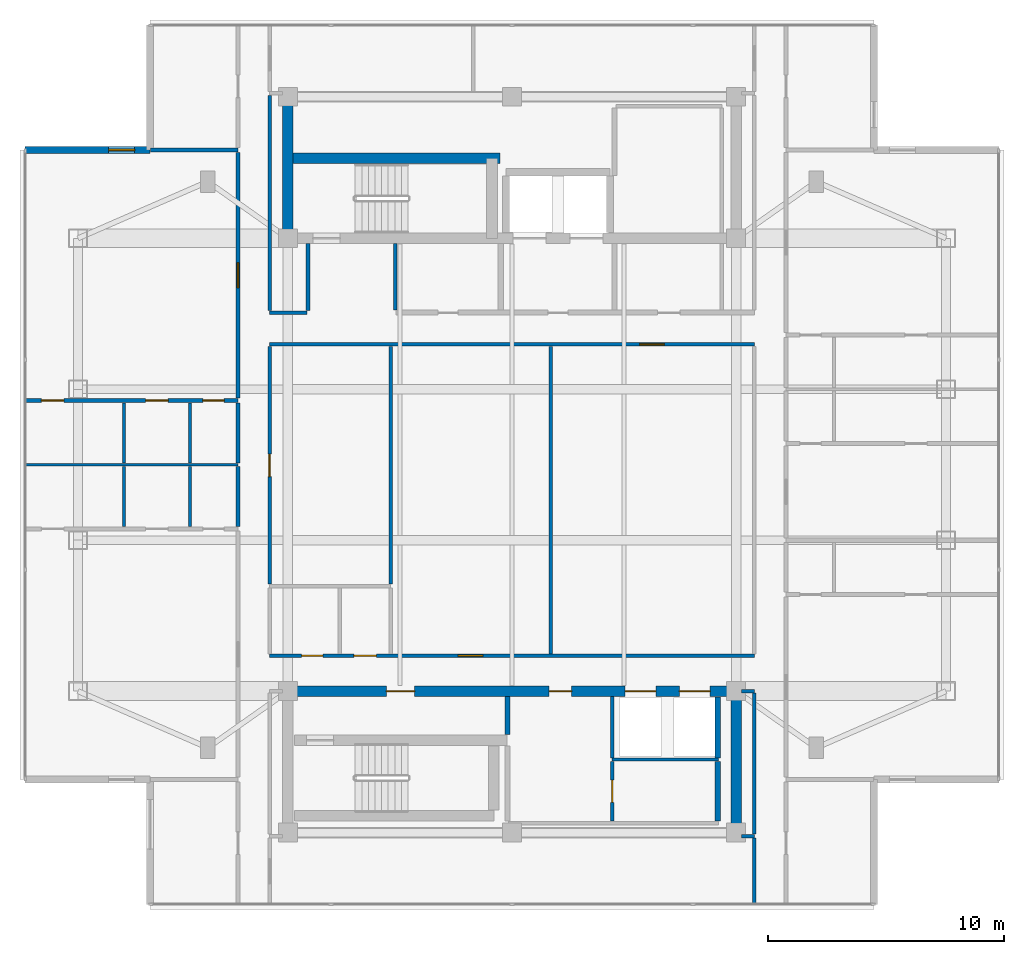
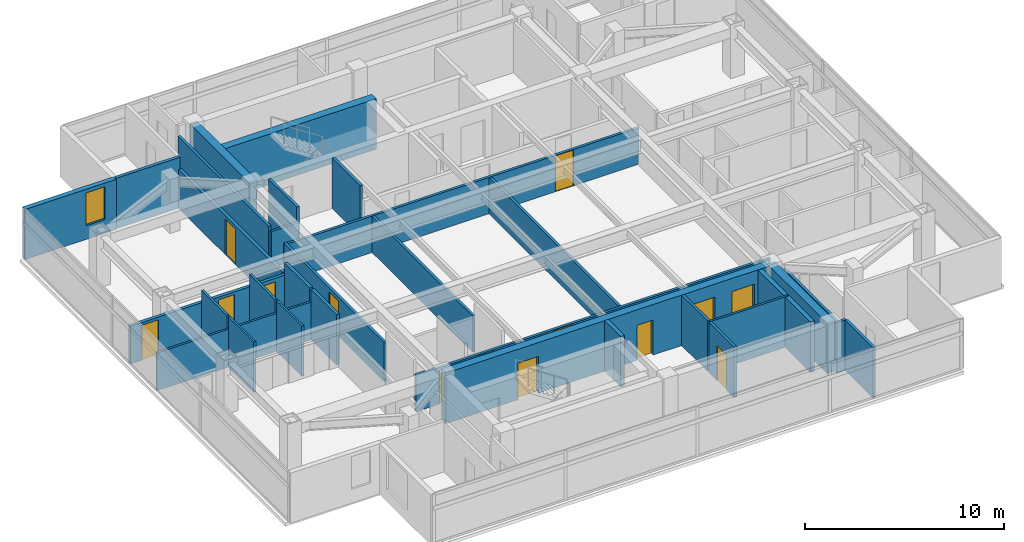
# One storey, part 7 of 12: 34 walls, 14 doors, 1 window, 15 openings.
"""IFC4 building model written with IfcOpenShell, lengths in metres."""

from ifc_helpers import new_model, si_unit, direction, frame, frame_2d, origin, place, context, subcontext, project, spatial, rectangle, extrude, material, layer, layer_set, type_object, element, fill, save


model = new_model("IFC4")

# Units and contexts
model_context = context("Model", 3, precision=1e-05, world=origin(), true_north=direction((0.0, 1.0)))
body_context = subcontext(model_context, "Body", "Model", "MODEL_VIEW")
ifc_project = project(units=[si_unit("LENGTHUNIT", "METRE"), si_unit("AREAUNIT", "SQUARE_METRE"), si_unit("VOLUMEUNIT", "CUBIC_METRE"), si_unit("PLANEANGLEUNIT", "RADIAN"), si_unit("MASSUNIT", "GRAM", prefix="KILO")], contexts=[model_context])

# Site, building, storey
site_placement = place(None, origin())
site = spatial("IfcSite", under=ifc_project, at=site_placement, CompositionType="ELEMENT")
building_placement = place(site_placement, origin())
building = spatial("IfcBuilding", under=site, at=building_placement, Name="Mirazonda Arch Towers", CompositionType="ELEMENT")
storey_placement = place(building_placement, frame((0.0, 0.0, 226.0)))
storey = spatial("IfcBuildingStorey", under=building, at=storey_placement, Name="L64", CompositionType="ELEMENT", Elevation=226.0)

# Walls
ifc_material_1 = material(Name="Concrete C50/60", Category="concrete")
ifc_layer_1 = layer(ifc_material_1, 0.449951171875, Name="WALL-CORE-450")
ifc_layer_set_1 = layer_set([ifc_layer_1], Name="Concrete C50/60")
wall_type_1 = type_object("IfcWallType", Name="WALL-CORE-450", PredefinedType="SHEAR", material=ifc_layer_set_1)
wall_1_placement = place(storey_placement, frame((11.0, 37.60009765625, 0.0), z_axis=(0.0, 0.0, 1.0), x_axis=(0.0, 1.0, 0.0)))
element("IfcWall", 1, at=wall_1_placement, inside=storey, type_object=wall_type_1, Name="L64 T1N-W Core Shear Wall", PredefinedType="SHEAR", context=body_context, shape_type="SweptSolid", body=[
    extrude(rectangle(XDim=6.0, YDim=0.449951171875, at=frame_2d((3.0, 0.0))), origin(), (0.0, 0.0, 1.0), 3.10009765625),
])
wall_2_placement = place(storey_placement, frame((11.0, 40.992919921875, 0.0), z_axis=(0.0, 0.0, 1.0), x_axis=(1.0, 0.0, 0.0)))
element("IfcWall", 2, at=wall_2_placement, inside=storey, type_object=wall_type_1, Name="L64 T1N-STN Core Shear Wall", PredefinedType="SHEAR", context=body_context, shape_type="SweptSolid", body=[
    extrude(rectangle(XDim=9.0, YDim=0.449951171875, at=frame_2d((4.5, 0.0))), origin(), (0.0, 0.0, 1.0), 3.10009765625),
])
wall_3_placement = place(storey_placement, frame((30.0, 12.39990234375, 0.0), z_axis=(0.0, 0.0, 1.0), x_axis=(0.0, 1.0, 0.0)))
element("IfcWall", 3, at=wall_3_placement, inside=storey, type_object=wall_type_1, Name="L64 T1S-E Core Shear Wall", PredefinedType="SHEAR", context=body_context, shape_type="SweptSolid", body=[
    extrude(rectangle(XDim=6.0, YDim=0.449951171875, at=frame_2d((3.0, 0.0))), origin(), (0.0, 0.0, 1.0), 3.10009765625),
])

# Wall, openings, doors
wall_4_placement = place(storey_placement, frame((11.0, 18.39990234375, 0.0), z_axis=(0.0, 0.0, 1.0), x_axis=(1.0, 0.0, 0.0)))
wall_4 = element("IfcWall", 4, at=wall_4_placement, inside=storey, type_object=wall_type_1, Name="L64 T1S-N Core Shear Wall", PredefinedType="SHEAR", context=body_context, shape_type="SweptSolid", body=[
    extrude(rectangle(XDim=19.0, YDim=0.449951171875, at=frame_2d((9.5, 0.0))), origin(), (0.0, 0.0, 1.0), 3.10009765625),
])
opening_1_placement = place(wall_4_placement, frame((4.175048828125, 0.0, 0.0)))
opening_1 = element("IfcOpeningElement", 5, at=opening_1_placement, cuts=wall_4, Name="Opening DR-117", PredefinedType="OPENING", context=body_context, shape_type="SweptSolid", body=[
    extrude(rectangle(XDim=1.199951171875, YDim=2.25, at=frame_2d((0.60009765625, 1.125))), frame((0.0, 0.23486328125, 0.0), z_axis=(0.0, -1.0, 0.0), x_axis=(1.0, 0.0, 0.0)), (0.0, 0.0, 1.0), 0.469970703125),
])
opening_2_placement = place(wall_4_placement, frame((11.074951171875, 0.0, 0.0)))
opening_2 = element("IfcOpeningElement", 6, at=opening_2_placement, cuts=wall_4, Name="Opening DR-104", PredefinedType="OPENING", context=body_context, shape_type="SweptSolid", body=[
    extrude(rectangle(XDim=0.949951171875, YDim=2.14990234375, at=frame_2d((0.47509765625, 1.074951171875))), frame((0.0, 0.23486328125, 0.0), z_axis=(0.0, -1.0, 0.0), x_axis=(1.0, 0.0, 0.0)), (0.0, 0.0, 1.0), 0.469970703125),
])
opening_3_placement = place(wall_4_placement, frame((14.300048828125, 0.0, 0.0)))
opening_3 = element("IfcOpeningElement", 7, at=opening_3_placement, cuts=wall_4, Name="Opening LD-111", PredefinedType="OPENING", context=body_context, shape_type="SweptSolid", body=[
    extrude(rectangle(XDim=1.300048828125, YDim=2.300048828125, at=frame_2d((0.64990234375, 1.14990234375))), frame((0.0, 0.23486328125, 0.0), z_axis=(0.0, -1.0, 0.0), x_axis=(1.0, 0.0, 0.0)), (0.0, 0.0, 1.0), 0.469970703125),
])
opening_4_placement = place(wall_4_placement, frame((16.60009765625, 0.0, 0.0)))
opening_4 = element("IfcOpeningElement", 8, at=opening_4_placement, cuts=wall_4, Name="Opening LD-111", PredefinedType="OPENING", context=body_context, shape_type="SweptSolid", body=[
    extrude(rectangle(XDim=1.300048828125, YDim=2.300048828125, at=frame_2d((0.64990234375, 1.14990234375))), frame((0.0, 0.23486328125, 0.0), z_axis=(0.0, -1.0, 0.0), x_axis=(1.0, 0.0, 0.0)), (0.0, 0.0, 1.0), 0.469970703125),
])
ifc_material_2 = material(Name="Architectural Brushed Steel S355", Category="steel")
door_type_1 = type_object("IfcDoorType", Name="DOOR-FFL-FD90-1200", OperationType="NOTDEFINED", PredefinedType="DOOR", material=ifc_material_2)
door_1_placement = place(opening_1_placement, origin())
door_1 = element("IfcDoor", 9, at=door_1_placement, inside=storey, type_object=door_type_1, Name="L64 South Core Stair & Lift Lobby Door", OperationType="SINGLE_SWING_RIGHT", OverallHeight=2.25, OverallWidth=1.199951171875, PredefinedType="DOOR", context=body_context, shape_type="SweptSolid", body=[
    extrude(rectangle(XDim=1.199951171875, YDim=2.25, at=frame_2d((0.60009765625, 1.125))), frame((0.0, 0.02490234375, 0.0), z_axis=(0.0, -1.0, 0.0), x_axis=(1.0, 0.0, 0.0)), (0.0, 0.0, 1.0), 0.050048828125),
])
fill(opening_1, door_1)
door_type_2 = type_object("IfcDoorType", Name="DOOR-LIFT-LAND-1300", OperationType="NOTDEFINED", PredefinedType="DOOR", material=ifc_material_2)
door_2_placement = place(opening_3_placement, origin())
door_2 = element("IfcDoor", 10, at=door_2_placement, inside=storey, type_object=door_type_2, Name="L64 Lift Landing Sliding Door PL-T1H1", OperationType="DOUBLE_DOOR_SLIDING", OverallHeight=2.300048828125, OverallWidth=1.300048828125, PredefinedType="DOOR", context=body_context, shape_type="SweptSolid", body=[
    extrude(rectangle(XDim=1.300048828125, YDim=2.300048828125, at=frame_2d((0.64990234375, 1.14990234375))), frame((0.0, 0.02490234375, 0.0), z_axis=(0.0, -1.0, 0.0), x_axis=(1.0, 0.0, 0.0)), (0.0, 0.0, 1.0), 0.050048828125),
])
fill(opening_3, door_2)
door_3_placement = place(opening_4_placement, origin())
door_3 = element("IfcDoor", 11, at=door_3_placement, inside=storey, type_object=door_type_2, Name="L64 Lift Landing Sliding Door PL-T1H2", OperationType="DOUBLE_DOOR_SLIDING", OverallHeight=2.300048828125, OverallWidth=1.300048828125, PredefinedType="DOOR", context=body_context, shape_type="SweptSolid", body=[
    extrude(rectangle(XDim=1.300048828125, YDim=2.300048828125, at=frame_2d((0.64990234375, 1.14990234375))), frame((0.0, 0.02490234375, 0.0), z_axis=(0.0, -1.0, 0.0), x_axis=(1.0, 0.0, 0.0)), (0.0, 0.0, 1.0), 0.050048828125),
])
fill(opening_4, door_3)
door_type_3 = type_object("IfcDoorType", Name="DOOR-ROOM-950", OperationType="NOTDEFINED", PredefinedType="DOOR", material=ifc_material_2)
door_4_placement = place(opening_2_placement, origin())
door_4 = element("IfcDoor", 12, at=door_4_placement, inside=storey, type_object=door_type_3, Name="L64 Residents Wine Tasting Lounge Door", OperationType="SINGLE_SWING_RIGHT", OverallHeight=2.14990234375, OverallWidth=0.949951171875, PredefinedType="DOOR", context=body_context, shape_type="SweptSolid", body=[
    extrude(rectangle(XDim=0.949951171875, YDim=2.14990234375, at=frame_2d((0.47509765625, 1.074951171875))), frame((0.0, 0.02490234375, 0.0), z_axis=(0.0, -1.0, 0.0), x_axis=(1.0, 0.0, 0.0)), (0.0, 0.0, 1.0), 0.050048828125),
])
fill(opening_2, door_4)

# Wall, opening, window
ifc_material_3 = material(Name="Precast Concrete C40/50", Category="concrete")
ifc_layer_2 = layer(ifc_material_3, 0.280029296875, Name="WALL-EXT-WALL-280")
ifc_layer_set_2 = layer_set([ifc_layer_2], Name="Precast Concrete C40/50")
wall_type_2 = type_object("IfcWallType", Name="WALL-EXT-WALL-280", PredefinedType="SOLIDWALL", material=ifc_layer_set_2)
wall_5_placement = place(storey_placement, frame((5.14990234375, 41.345947265625, 0.0), z_axis=(0.0, 0.0, 1.0), x_axis=(-1.0, 0.0, 0.0)))
wall_5 = element("IfcWall", 13, at=wall_5_placement, inside=storey, type_object=wall_type_2, Name="L64 T1 Corner Notch Return Wall WL-L64-T1-CNW1", PredefinedType="SOLIDWALL", context=body_context, shape_type="SweptSolid", body=[
    extrude(rectangle(XDim=5.289794921875, YDim=0.280029296875, at=frame_2d((2.64501953125, 0.0))), origin(), (0.0, 0.0, 1.0), 3.080078125),
])
opening_5_placement = place(wall_5_placement, frame((0.64990234375, 0.0, 0.85009765625)))
opening_5 = element("IfcOpeningElement", 14, at=opening_5_placement, cuts=wall_5, Name="Opening WN-108", PredefinedType="OPENING", context=body_context, shape_type="SweptSolid", body=[
    extrude(rectangle(XDim=1.10009765625, YDim=2.0, at=frame_2d((0.550048828125, 1.0))), frame((0.0, 0.14990234375, 0.0), z_axis=(0.0, -1.0, 0.0), x_axis=(1.0, 0.0, 0.0)), (0.0, 0.0, 1.0), 0.300048828125),
])
ifc_material_4 = material(Name="Insulated Low-E Solar Glass", Category="glass")
window_type = type_object("IfcWindowType", Name="WIN-NOTCH-1100x2000", PartitioningType="SINGLE_PANEL", PredefinedType="WINDOW", material=ifc_material_4)
window_placement = place(opening_5_placement, origin())
window = element("IfcWindow", 15, at=window_placement, inside=storey, type_object=window_type, Name="L64 Punched Facade Window WN-L64-T1-CNW1", OverallHeight=2.0, OverallWidth=1.10009765625, PartitioningType="SINGLE_PANEL", PredefinedType="WINDOW", context=body_context, shape_type="SweptSolid", body=[
    extrude(rectangle(XDim=1.10009765625, YDim=2.0, at=frame_2d((0.550048828125, 1.0))), frame((0.0, 0.030029296875, 0.0), z_axis=(0.0, -1.0, 0.0), x_axis=(1.0, 0.0, 0.0)), (0.0, 0.0, 1.0), 0.06005859375),
])
fill(opening_5, window)

# Walls
ifc_material_5 = material(Name="Concrete C40/50", Category="concrete")
ifc_layer_3 = layer(ifc_material_5, 0.219970703125, Name="WALL-FFL-220")
ifc_layer_set_3 = layer_set([ifc_layer_3], Name="Concrete C40/50")
wall_type_3 = type_object("IfcWallType", Name="WALL-FFL-220", PredefinedType="SOLIDWALL", material=ifc_layer_set_3)
wall_6_placement = place(storey_placement, frame((20.31494140625, 16.554931640625, 0.0), z_axis=(0.0, 0.0, 1.0), x_axis=(0.0, 1.0, 0.0)))
element("IfcWall", 16, at=wall_6_placement, inside=storey, type_object=wall_type_3, Name="L64 Interior Partition 055", PredefinedType="SOLIDWALL", context=body_context, shape_type="SweptSolid", body=[
    extrude(rectangle(XDim=1.625, YDim=0.219970703125, at=frame_2d((0.8125, 0.0))), origin(), (0.0, 0.0, 1.0), 3.10009765625),
])
ifc_material_6 = material(Name="Fire-Rated Gypsum Stud Partition")
ifc_layer_4 = layer(ifc_material_6, 0.14990234375, Name="WALL-PART-CORR-150")
ifc_layer_set_4 = layer_set([ifc_layer_4], Name="Fire-Rated Gypsum Stud Partition")
wall_type_4 = type_object("IfcWallType", Name="WALL-PART-CORR-150", PredefinedType="PARTITIONING", material=ifc_layer_set_4)
wall_7_placement = place(storey_placement, frame((30.219970703125, 12.25, 0.0), z_axis=(0.0, 0.0, 1.0), x_axis=(1.0, 0.0, 0.0)))
element("IfcWall", 17, at=wall_7_placement, inside=storey, type_object=wall_type_4, Name="L64 Interior Partition 002", PredefinedType="PARTITIONING", context=body_context, shape_type="SweptSolid", body=[
    extrude(rectangle(XDim=0.56005859375, YDim=0.14990234375, at=frame_2d((0.280029296875, 0.0))), origin(), (0.0, 0.0, 1.0), 3.10009765625),
])
wall_8_placement = place(storey_placement, frame((30.219970703125, 18.39990234375, 0.0), z_axis=(0.0, 0.0, 1.0), x_axis=(1.0, 0.0, 0.0)))
element("IfcWall", 18, at=wall_8_placement, inside=storey, type_object=wall_type_4, Name="L64 Interior Partition 010", PredefinedType="PARTITIONING", context=body_context, shape_type="SweptSolid", body=[
    extrude(rectangle(XDim=0.56005859375, YDim=0.14990234375, at=frame_2d((0.280029296875, 0.0))), origin(), (0.0, 0.0, 1.0), 2.491943359375),
])

# Wall, openings, doors
wall_9_placement = place(storey_placement, frame((10.219970703125, 19.89990234375, 0.0), z_axis=(0.0, 0.0, 1.0), x_axis=(1.0, 0.0, 0.0)))
wall_9 = element("IfcWall", 19, at=wall_9_placement, inside=storey, type_object=wall_type_4, Name="L64 Interior Partition 011", PredefinedType="PARTITIONING", context=body_context, shape_type="SweptSolid", body=[
    extrude(rectangle(XDim=20.56005859375, YDim=0.14990234375, at=frame_2d((10.280029296875, 0.0))), origin(), (0.0, 0.0, 1.0), 2.236083984375),
])
opening_6_placement = place(wall_9_placement, frame((1.360107421875, 0.0, 0.0)))
opening_6 = element("IfcOpeningElement", 20, at=opening_6_placement, cuts=wall_9, Name="Opening DR-120", PredefinedType="OPENING", context=body_context, shape_type="SweptSolid", body=[
    extrude(rectangle(XDim=0.89990234375, YDim=2.10009765625, at=frame_2d((0.449951171875, 1.050048828125))), frame((0.0, 0.0849609375, 0.0), z_axis=(0.0, -1.0, 0.0), x_axis=(1.0, 0.0, 0.0)), (0.0, 0.0, 1.0), 0.169921875),
])
opening_7_placement = place(wall_9_placement, frame((3.580078125, 0.0, 0.0)))
opening_7 = element("IfcOpeningElement", 21, at=opening_7_placement, cuts=wall_9, Name="Opening DR-104", PredefinedType="OPENING", context=body_context, shape_type="SweptSolid", body=[
    extrude(rectangle(XDim=0.949951171875, YDim=2.14990234375, at=frame_2d((0.47509765625, 1.074951171875))), frame((0.0, 0.0849609375, 0.0), z_axis=(0.0, -1.0, 0.0), x_axis=(1.0, 0.0, 0.0)), (0.0, 0.0, 1.0), 0.169921875),
])
opening_8_placement = place(wall_9_placement, frame((7.99951171875, 0.0, 0.0)))
opening_8 = element("IfcOpeningElement", 22, at=opening_8_placement, cuts=wall_9, Name="Opening DR-121", PredefinedType="OPENING", context=body_context, shape_type="SweptSolid", body=[
    extrude(rectangle(XDim=1.050048828125, YDim=2.199951171875, at=frame_2d((0.52490234375, 1.10009765625))), frame((0.0, 0.0849609375, 0.0), z_axis=(0.0, -1.0, 0.0), x_axis=(1.0, 0.0, 0.0)), (0.0, 0.0, 1.0), 0.169921875),
])
door_5_placement = place(opening_7_placement, origin())
door_5 = element("IfcDoor", 23, at=door_5_placement, inside=storey, type_object=door_type_3, Name="L64 L64 West Courtyard Study Door", OperationType="SINGLE_SWING_RIGHT", OverallHeight=2.14990234375, OverallWidth=0.949951171875, PredefinedType="DOOR", context=body_context, shape_type="SweptSolid", body=[
    extrude(rectangle(XDim=0.949951171875, YDim=2.14990234375, at=frame_2d((0.47509765625, 1.074951171875))), frame((0.0, 0.02490234375, 0.0), z_axis=(0.0, -1.0, 0.0), x_axis=(1.0, 0.0, 0.0)), (0.0, 0.0, 1.0), 0.050048828125),
])
fill(opening_7, door_5)
door_type_4 = type_object("IfcDoorType", Name="DOOR-SUITE-FD60-1050", OperationType="NOTDEFINED", PredefinedType="DOOR", material=ifc_material_2)
door_6_placement = place(opening_8_placement, origin())
door_6 = element("IfcDoor", 24, at=door_6_placement, inside=storey, type_object=door_type_4, Name="L64 Residents Private Library Door", OperationType="SINGLE_SWING_RIGHT", OverallHeight=2.199951171875, OverallWidth=1.050048828125, PredefinedType="DOOR", context=body_context, shape_type="SweptSolid", body=[
    extrude(rectangle(XDim=1.050048828125, YDim=2.199951171875, at=frame_2d((0.52490234375, 1.10009765625))), frame((0.0, 0.02490234375, 0.0), z_axis=(0.0, -1.0, 0.0), x_axis=(1.0, 0.0, 0.0)), (0.0, 0.0, 1.0), 0.050048828125),
])
fill(opening_8, door_6)
door_type_5 = type_object("IfcDoorType", Name="DOOR-WC-900", OperationType="NOTDEFINED", PredefinedType="DOOR", material=ifc_material_2)
door_7_placement = place(opening_6_placement, origin())
door_7 = element("IfcDoor", 25, at=door_7_placement, inside=storey, type_object=door_type_5, Name="L64 Common Accessible WC Door", OperationType="SINGLE_SWING_RIGHT", OverallHeight=2.10009765625, OverallWidth=0.89990234375, PredefinedType="DOOR", context=body_context, shape_type="SweptSolid", body=[
    extrude(rectangle(XDim=0.89990234375, YDim=2.10009765625, at=frame_2d((0.449951171875, 1.050048828125))), frame((0.0, 0.02490234375, 0.0), z_axis=(0.0, -1.0, 0.0), x_axis=(1.0, 0.0, 0.0)), (0.0, 0.0, 1.0), 0.050048828125),
])
fill(opening_6, door_7)

# Wall, opening, door
wall_10_placement = place(storey_placement, frame((10.219970703125, 33.10009765625, 0.0), z_axis=(0.0, 0.0, 1.0), x_axis=(1.0, 0.0, 0.0)))
wall_10 = element("IfcWall", 26, at=wall_10_placement, inside=storey, type_object=wall_type_4, Name="L64 Interior Partition 020", PredefinedType="PARTITIONING", context=body_context, shape_type="SweptSolid", body=[
    extrude(rectangle(XDim=20.56005859375, YDim=0.14990234375, at=frame_2d((10.280029296875, 0.0))), origin(), (0.0, 0.0, 1.0), 2.236083984375),
])
opening_9_placement = place(wall_10_placement, frame((15.694580078125, 0.0, 0.0)))
opening_9 = element("IfcOpeningElement", 27, at=opening_9_placement, cuts=wall_10, Name="Opening DR-121", PredefinedType="OPENING", context=body_context, shape_type="SweptSolid", body=[
    extrude(rectangle(XDim=1.050048828125, YDim=2.199951171875, at=frame_2d((0.52490234375, 1.10009765625))), frame((0.0, 0.0849609375, 0.0), z_axis=(0.0, -1.0, 0.0), x_axis=(1.0, 0.0, 0.0)), (0.0, 0.0, 1.0), 0.169921875),
])
door_8_placement = place(opening_9_placement, origin())
door_8 = element("IfcDoor", 28, at=door_8_placement, inside=storey, type_object=door_type_4, Name="L64 Chamber Music & Screening Salon Door", OperationType="SINGLE_SWING_LEFT", OverallHeight=2.199951171875, OverallWidth=1.050048828125, PredefinedType="DOOR", context=body_context, shape_type="SweptSolid", body=[
    extrude(rectangle(XDim=1.050048828125, YDim=2.199951171875, at=frame_2d((0.52490234375, 1.10009765625))), frame((0.0, 0.02490234375, 0.0), z_axis=(0.0, -1.0, 0.0), x_axis=(1.0, 0.0, 0.0)), (0.0, 0.0, 1.0), 0.050048828125),
])
fill(opening_9, door_8)

# Wall
wall_11_placement = place(storey_placement, frame((10.219970703125, 34.449951171875, 0.0), z_axis=(0.0, 0.0, 1.0), x_axis=(1.0, 0.0, 0.0)))
element("IfcWall", 29, at=wall_11_placement, inside=storey, type_object=wall_type_4, Name="L64 Interior Partition 022", PredefinedType="PARTITIONING", context=body_context, shape_type="SweptSolid", body=[
    extrude(rectangle(XDim=1.580078125, YDim=0.14990234375, at=frame_2d((0.7900390625, 0.0))), origin(), (0.0, 0.0, 1.0), 2.236083984375),
])

# Wall, opening, door
wall_12_placement = place(storey_placement, frame((10.219970703125, 22.93505859375, 0.0), z_axis=(0.0, 0.0, 1.0), x_axis=(0.0, 1.0, 0.0)))
wall_12 = element("IfcWall", 30, at=wall_12_placement, inside=storey, type_object=wall_type_4, Name="L64 Interior Partition 043", PredefinedType="PARTITIONING", context=body_context, shape_type="SweptSolid", body=[
    extrude(rectangle(XDim=10.079833984375, YDim=0.14990234375, at=frame_2d((5.0400390625, 0.0))), origin(), (0.0, 0.0, 1.0), 2.39599609375),
])
opening_10_placement = place(wall_12_placement, frame((4.56494140625, 0.0, 0.0)))
opening_10 = element("IfcOpeningElement", 31, at=opening_10_placement, cuts=wall_12, Name="Opening DR-104", PredefinedType="OPENING", context=body_context, shape_type="SweptSolid", body=[
    extrude(rectangle(XDim=0.949951171875, YDim=2.14990234375, at=frame_2d((0.47509765625, 1.074951171875))), frame((0.0, 0.0849609375, 0.0), z_axis=(0.0, -1.0, 0.0), x_axis=(1.0, 0.0, 0.0)), (0.0, 0.0, 1.0), 0.169921875),
])
door_9_placement = place(opening_10_placement, origin())
door_9 = element("IfcDoor", 32, at=door_9_placement, inside=storey, type_object=door_type_3, Name="L64 L64 West Courtyard Salon Door", OperationType="SINGLE_SWING_LEFT", OverallHeight=2.14990234375, OverallWidth=0.949951171875, PredefinedType="DOOR", context=body_context, shape_type="SweptSolid", body=[
    extrude(rectangle(XDim=0.949951171875, YDim=2.14990234375, at=frame_2d((0.47509765625, 1.074951171875))), frame((0.0, 0.02490234375, 0.0), z_axis=(0.0, -1.0, 0.0), x_axis=(1.0, 0.0, 0.0)), (0.0, 0.0, 1.0), 0.050048828125),
])
fill(opening_10, door_9)

# Walls
wall_13_placement = place(storey_placement, frame((10.219970703125, 34.534912109375, 0.0), z_axis=(0.0, 0.0, 1.0), x_axis=(0.0, 1.0, 0.0)))
element("IfcWall", 33, at=wall_13_placement, inside=storey, type_object=wall_type_4, Name="L64 Interior Partition 044", PredefinedType="PARTITIONING", context=body_context, shape_type="SweptSolid", body=[
    extrude(rectangle(XDim=9.130126953125, YDim=0.14990234375, at=frame_2d((4.56494140625, 0.0))), origin(), (0.0, 0.0, 1.0), 2.491943359375),
])
wall_14_placement = place(storey_placement, frame((11.85009765625, 34.534912109375, 0.0), z_axis=(0.0, 0.0, 1.0), x_axis=(0.0, 1.0, 0.0)))
element("IfcWall", 34, at=wall_14_placement, inside=storey, type_object=wall_type_4, Name="L64 Interior Partition 046", PredefinedType="PARTITIONING", context=body_context, shape_type="SweptSolid", body=[
    extrude(rectangle(XDim=2.844970703125, YDim=0.14990234375, at=frame_2d((1.42236328125, 0.0))), origin(), (0.0, 0.0, 1.0), 3.10009765625),
])
wall_15_placement = place(storey_placement, frame((15.35009765625, 22.93505859375, 0.0), z_axis=(0.0, 0.0, 1.0), x_axis=(0.0, 1.0, 0.0)))
element("IfcWall", 35, at=wall_15_placement, inside=storey, type_object=wall_type_4, Name="L64 Interior Partition 049", PredefinedType="PARTITIONING", context=body_context, shape_type="SweptSolid", body=[
    extrude(rectangle(XDim=10.079833984375, YDim=0.14990234375, at=frame_2d((5.0400390625, 0.0))), origin(), (0.0, 0.0, 1.0), 2.236083984375),
])
wall_16_placement = place(storey_placement, frame((15.550048828125, 34.570068359375, 0.0), z_axis=(0.0, 0.0, 1.0), x_axis=(0.0, 1.0, 0.0)))
element("IfcWall", 36, at=wall_16_placement, inside=storey, type_object=wall_type_4, Name="L64 Interior Partition 050", PredefinedType="PARTITIONING", context=body_context, shape_type="SweptSolid", body=[
    extrude(rectangle(XDim=2.809814453125, YDim=0.14990234375, at=frame_2d((1.40478515625, 0.0))), origin(), (0.0, 0.0, 1.0), 3.10009765625),
])
wall_17_placement = place(storey_placement, frame((22.138916015625, 19.985107421875, 0.0), z_axis=(0.0, 0.0, 1.0), x_axis=(0.0, 1.0, 0.0)))
element("IfcWall", 37, at=wall_17_placement, inside=storey, type_object=wall_type_4, Name="L64 Interior Partition 057", PredefinedType="PARTITIONING", context=body_context, shape_type="SweptSolid", body=[
    extrude(rectangle(XDim=13.02978515625, YDim=0.14990234375, at=frame_2d((6.514892578125, 0.0))), origin(), (0.0, 0.0, 1.0), 2.236083984375),
])

# Wall, opening, door
wall_18_placement = place(storey_placement, frame((24.75, 12.885009765625, 0.0), z_axis=(0.0, 0.0, 1.0), x_axis=(0.0, 1.0, 0.0)))
wall_18 = element("IfcWall", 38, at=wall_18_placement, inside=storey, type_object=wall_type_4, Name="L64 Interior Partition 058", PredefinedType="PARTITIONING", context=body_context, shape_type="SweptSolid", body=[
    extrude(rectangle(XDim=2.54248046875, YDim=0.14990234375, at=frame_2d((1.271240234375, 0.0))), origin(), (0.0, 0.0, 1.0), 3.10009765625),
])
opening_11_placement = place(wall_18_placement, frame((0.79638671875, 0.0, 0.0)))
opening_11 = element("IfcOpeningElement", 39, at=opening_11_placement, cuts=wall_18, Name="Opening DR-104", PredefinedType="OPENING", context=body_context, shape_type="SweptSolid", body=[
    extrude(rectangle(XDim=0.949951171875, YDim=2.14990234375, at=frame_2d((0.47509765625, 1.074951171875))), frame((0.0, 0.0849609375, 0.0), z_axis=(0.0, -1.0, 0.0), x_axis=(1.0, 0.0, 0.0)), (0.0, 0.0, 1.0), 0.169921875),
])
door_10_placement = place(opening_11_placement, origin())
door_10 = element("IfcDoor", 40, at=door_10_placement, inside=storey, type_object=door_type_3, Name="L64 Residents Private Archive Study Door", OperationType="SINGLE_SWING_LEFT", OverallHeight=2.14990234375, OverallWidth=0.949951171875, PredefinedType="DOOR", context=body_context, shape_type="SweptSolid", body=[
    extrude(rectangle(XDim=0.949951171875, YDim=2.14990234375, at=frame_2d((0.47509765625, 1.074951171875))), frame((0.0, 0.02490234375, 0.0), z_axis=(0.0, -1.0, 0.0), x_axis=(1.0, 0.0, 0.0)), (0.0, 0.0, 1.0), 0.050048828125),
])
fill(opening_11, door_10)

# Walls
wall_19_placement = place(storey_placement, frame((24.75, 15.572509765625, 0.0), z_axis=(0.0, 0.0, 1.0), x_axis=(0.0, 1.0, 0.0)))
element("IfcWall", 41, at=wall_19_placement, inside=storey, type_object=wall_type_4, Name="L64 Interior Partition 059", PredefinedType="PARTITIONING", context=body_context, shape_type="SweptSolid", body=[
    extrude(rectangle(XDim=2.607421875, YDim=0.14990234375, at=frame_2d((1.3037109375, 0.0))), origin(), (0.0, 0.0, 1.0), 3.10009765625),
])
wall_20_placement = place(storey_placement, frame((30.780029296875, 9.364013671875, 0.0), z_axis=(0.0, 0.0, 1.0), x_axis=(0.0, 1.0, 0.0)))
element("IfcWall", 42, at=wall_20_placement, inside=storey, type_object=wall_type_4, Name="L64 Interior Partition 067", PredefinedType="PARTITIONING", context=body_context, shape_type="SweptSolid", body=[
    extrude(rectangle(XDim=2.801025390625, YDim=0.14990234375, at=frame_2d((1.400390625, 0.0))), origin(), (0.0, 0.0, 1.0), 3.10009765625),
])
wall_21_placement = place(storey_placement, frame((30.780029296875, 12.3349609375, 0.0), z_axis=(0.0, 0.0, 1.0), x_axis=(0.0, 1.0, 0.0)))
element("IfcWall", 43, at=wall_21_placement, inside=storey, type_object=wall_type_4, Name="L64 Interior Partition 068", PredefinedType="PARTITIONING", context=body_context, shape_type="SweptSolid", body=[
    extrude(rectangle(XDim=5.97998046875, YDim=0.14990234375, at=frame_2d((2.989990234375, 0.0))), origin(), (0.0, 0.0, 1.0), 2.491943359375),
])

# Wall, openings, doors
ifc_material_7 = material(Name="Fire-Rated Gypsum Twin-Stud Assembly")
ifc_layer_5 = layer(ifc_material_7, 0.179931640625, Name="WALL-PART-DEMISE-180")
ifc_layer_set_5 = layer_set([ifc_layer_5], Name="Fire-Rated Gypsum Twin-Stud Assembly")
wall_type_5 = type_object("IfcWallType", Name="WALL-PART-DEMISE-180", PredefinedType="PARTITIONING", material=ifc_layer_set_5)
wall_22_placement = place(storey_placement, frame((-0.139892578125, 30.719970703125, 0.0), z_axis=(0.0, 0.0, 1.0), x_axis=(1.0, 0.0, 0.0)))
wall_22 = element("IfcWall", 44, at=wall_22_placement, inside=storey, type_object=wall_type_5, Name="L64 Interior Partition 018", PredefinedType="PARTITIONING", context=body_context, shape_type="SweptSolid", body=[
    extrude(rectangle(XDim=9.019775390625, YDim=0.179931640625, at=frame_2d((4.509765625, 0.0))), origin(), (0.0, 0.0, 1.0), 2.319091796875),
])
opening_12_placement = place(wall_22_placement, frame((0.68896484375, 0.0, 0.0)))
opening_12 = element("IfcOpeningElement", 45, at=opening_12_placement, cuts=wall_22, Name="Opening DR-104", PredefinedType="OPENING", context=body_context, shape_type="SweptSolid", body=[
    extrude(rectangle(XDim=0.949951171875, YDim=2.14990234375, at=frame_2d((0.47509765625, 1.074951171875))), frame((0.0, 0.099853515625, 0.0), z_axis=(0.0, -1.0, 0.0), x_axis=(1.0, 0.0, 0.0)), (0.0, 0.0, 1.0), 0.199951171875),
])
opening_13_placement = place(wall_22_placement, frame((5.10888671875, 0.0, 0.0)))
opening_13 = element("IfcOpeningElement", 46, at=opening_13_placement, cuts=wall_22, Name="Opening DR-104", PredefinedType="OPENING", context=body_context, shape_type="SweptSolid", body=[
    extrude(rectangle(XDim=0.949951171875, YDim=2.14990234375, at=frame_2d((0.47509765625, 1.074951171875))), frame((0.0, 0.099853515625, 0.0), z_axis=(0.0, -1.0, 0.0), x_axis=(1.0, 0.0, 0.0)), (0.0, 0.0, 1.0), 0.199951171875),
])
opening_14_placement = place(wall_22_placement, frame((7.530029296875, 0.0, 0.0)))
opening_14 = element("IfcOpeningElement", 47, at=opening_14_placement, cuts=wall_22, Name="Opening DR-120", PredefinedType="OPENING", context=body_context, shape_type="SweptSolid", body=[
    extrude(rectangle(XDim=0.89990234375, YDim=2.10009765625, at=frame_2d((0.449951171875, 1.050048828125))), frame((0.0, 0.099853515625, 0.0), z_axis=(0.0, -1.0, 0.0), x_axis=(1.0, 0.0, 0.0)), (0.0, 0.0, 1.0), 0.199951171875),
])
door_11_placement = place(opening_12_placement, origin())
door_11 = element("IfcDoor", 48, at=door_11_placement, inside=storey, type_object=door_type_3, Name="L64 Residence 2 Principal Bedroom Door", OperationType="SINGLE_SWING_RIGHT", OverallHeight=2.14990234375, OverallWidth=0.949951171875, PredefinedType="DOOR", context=body_context, shape_type="SweptSolid", body=[
    extrude(rectangle(XDim=0.949951171875, YDim=2.14990234375, at=frame_2d((0.47509765625, 1.074951171875))), frame((0.0, 0.02490234375, 0.0), z_axis=(0.0, -1.0, 0.0), x_axis=(1.0, 0.0, 0.0)), (0.0, 0.0, 1.0), 0.050048828125),
])
fill(opening_12, door_11)
door_12_placement = place(opening_13_placement, origin())
door_12 = element("IfcDoor", 49, at=door_12_placement, inside=storey, type_object=door_type_3, Name="L64 Residence 2 Fitted Kitchen Door", OperationType="SINGLE_SWING_LEFT", OverallHeight=2.14990234375, OverallWidth=0.949951171875, PredefinedType="DOOR", context=body_context, shape_type="SweptSolid", body=[
    extrude(rectangle(XDim=0.949951171875, YDim=2.14990234375, at=frame_2d((0.47509765625, 1.074951171875))), frame((0.0, 0.02490234375, 0.0), z_axis=(0.0, -1.0, 0.0), x_axis=(1.0, 0.0, 0.0)), (0.0, 0.0, 1.0), 0.050048828125),
])
fill(opening_13, door_12)
door_13_placement = place(opening_14_placement, origin())
door_13 = element("IfcDoor", 50, at=door_13_placement, inside=storey, type_object=door_type_5, Name="L64 Residence 2 Bathroom Door", OperationType="SINGLE_SWING_RIGHT", OverallHeight=2.10009765625, OverallWidth=0.89990234375, PredefinedType="DOOR", context=body_context, shape_type="SweptSolid", body=[
    extrude(rectangle(XDim=0.89990234375, YDim=2.10009765625, at=frame_2d((0.449951171875, 1.050048828125))), frame((0.0, 0.02490234375, 0.0), z_axis=(0.0, -1.0, 0.0), x_axis=(1.0, 0.0, 0.0)), (0.0, 0.0, 1.0), 0.050048828125),
])
fill(opening_14, door_13)

# Walls
wall_23_placement = place(storey_placement, frame((5.169921875, 41.345947265625, 0.0), z_axis=(0.0, 0.0, 1.0), x_axis=(1.0, 0.0, 0.0)))
element("IfcWall", 51, at=wall_23_placement, inside=storey, type_object=wall_type_5, Name="L64 Interior Partition 025", PredefinedType="PARTITIONING", context=body_context, shape_type="SweptSolid", body=[
    extrude(rectangle(XDim=3.7099609375, YDim=0.179931640625, at=frame_2d((1.85498046875, 0.0))), origin(), (0.0, 0.0, 1.0), 3.10009765625),
])
for number, where, z_axis, x_axis, name in (
    (52, (8.8798828125, 25.3798828125, 0.0), (0.0, 0.0, 1.0), (0.0, 1.0, 0.0), "L64 Interior Partition 036"),
    (53, (8.8798828125, 28.072509765625, 0.0), (0.0, 0.0, 1.0), (0.0, 1.0, 0.0), "L64 Interior Partition 037"),
):
    element("IfcWall", number, at=place(storey_placement, frame(where, z_axis=z_axis, x_axis=x_axis)), inside=storey, type_object=wall_type_5, Name=name, PredefinedType="PARTITIONING", context=body_context, shape_type="SweptSolid", body=[
        extrude(rectangle(XDim=2.547607421875, YDim=0.179931640625, at=frame_2d((1.27392578125, 0.0))), origin(), (0.0, 0.0, 1.0), 3.10009765625),
    ])

# Wall, opening, door
wall_24_placement = place(storey_placement, frame((8.8798828125, 30.820068359375, 0.0), z_axis=(0.0, 0.0, 1.0), x_axis=(0.0, 1.0, 0.0)))
wall_24 = element("IfcWall", 54, at=wall_24_placement, inside=storey, type_object=wall_type_5, Name="L64 Interior Partition 038", PredefinedType="PARTITIONING", context=body_context, shape_type="SweptSolid", body=[
    extrude(rectangle(XDim=10.426025390625, YDim=0.179931640625, at=frame_2d((5.212890625, 0.0))), origin(), (0.0, 0.0, 1.0), 2.39599609375),
])
opening_15_placement = place(wall_24_placement, frame((4.68798828125, 0.0, 0.0)))
opening_15 = element("IfcOpeningElement", 55, at=opening_15_placement, cuts=wall_24, Name="Opening DR-121", PredefinedType="OPENING", context=body_context, shape_type="SweptSolid", body=[
    extrude(rectangle(XDim=1.050048828125, YDim=2.199951171875, at=frame_2d((0.52490234375, 1.10009765625))), frame((0.0, 0.099853515625, 0.0), z_axis=(0.0, -1.0, 0.0), x_axis=(1.0, 0.0, 0.0)), (0.0, 0.0, 1.0), 0.199951171875),
])
door_14_placement = place(opening_15_placement, origin())
door_14 = element("IfcDoor", 56, at=door_14_placement, inside=storey, type_object=door_type_4, Name="L64 Penthouse Residence 2 Living & Dining Salon Door", OperationType="SINGLE_SWING_LEFT", OverallHeight=2.199951171875, OverallWidth=1.050048828125, PredefinedType="DOOR", context=body_context, shape_type="SweptSolid", body=[
    extrude(rectangle(XDim=1.050048828125, YDim=2.199951171875, at=frame_2d((0.52490234375, 1.10009765625))), frame((0.0, 0.02490234375, 0.0), z_axis=(0.0, -1.0, 0.0), x_axis=(1.0, 0.0, 0.0)), (0.0, 0.0, 1.0), 0.050048828125),
])
fill(opening_15, door_14)

# Walls
ifc_material_8 = material(Name="Acoustic Fire-Rated Gypsum Partition")
ifc_layer_6 = layer(ifc_material_8, 0.125, Name="WALL-PART-UNIT-125")
ifc_layer_set_6 = layer_set([ifc_layer_6], Name="Acoustic Fire-Rated Gypsum Partition")
wall_type_6 = type_object("IfcWallType", Name="WALL-PART-UNIT-125", PredefinedType="PARTITIONING", material=ifc_layer_set_6)
wall_25_placement = place(storey_placement, frame((24.75, 15.5, 0.0), z_axis=(0.0, 0.0, 1.0), x_axis=(1.0, 0.0, 0.0)))
element("IfcWall", 57, at=wall_25_placement, inside=storey, type_object=wall_type_6, Name="L64 Interior Partition 007", PredefinedType="PARTITIONING", context=body_context, shape_type="SweptSolid", body=[
    extrude(rectangle(XDim=4.5, YDim=0.125, at=frame_2d((2.25, 0.0))), origin(), (0.0, 0.0, 1.0), 3.10009765625),
])
wall_26_placement = place(storey_placement, frame((-0.139892578125, 28.0, 0.0), z_axis=(0.0, 0.0, 1.0), x_axis=(1.0, 0.0, 0.0)))
element("IfcWall", 58, at=wall_26_placement, inside=storey, type_object=wall_type_6, Name="L64 Interior Partition 016", PredefinedType="PARTITIONING", context=body_context, shape_type="SweptSolid", body=[
    extrude(rectangle(XDim=9.019775390625, YDim=0.125, at=frame_2d((4.509765625, 0.0))), origin(), (0.0, 0.0, 1.0), 2.319091796875),
])
for number, where, z_axis, x_axis, name in (
    (59, (4.048095703125, 25.3798828125, 0.0), (0.0, 0.0, 1.0), (0.0, 1.0, 0.0), "L64 Interior Partition 030"),
    (60, (4.048095703125, 28.072509765625, 0.0), (0.0, 0.0, 1.0), (0.0, 1.0, 0.0), "L64 Interior Partition 031"),
    (61, (6.840087890625, 25.3798828125, 0.0), (0.0, 0.0, 1.0), (0.0, 1.0, 0.0), "L64 Interior Partition 032"),
    (62, (6.840087890625, 28.072509765625, 0.0), (0.0, 0.0, 1.0), (0.0, 1.0, 0.0), "L64 Interior Partition 033"),
):
    element("IfcWall", number, at=place(storey_placement, frame(where, z_axis=z_axis, x_axis=x_axis)), inside=storey, type_object=wall_type_6, Name=name, PredefinedType="PARTITIONING", context=body_context, shape_type="SweptSolid", body=[
        extrude(rectangle(XDim=2.547607421875, YDim=0.125, at=frame_2d((1.27392578125, 0.0))), origin(), (0.0, 0.0, 1.0), 3.10009765625),
    ])
ifc_layer_7 = layer(ifc_material_5, 0.25, Name="WALL-SHAFT-250")
ifc_layer_set_7 = layer_set([ifc_layer_7], Name="Concrete C40/50")
wall_type_7 = type_object("IfcWallType", Name="WALL-SHAFT-250", PredefinedType="SOLIDWALL", material=ifc_layer_set_7)
wall_27_placement = place(storey_placement, frame((29.22509765625, 12.885009765625, 0.0), z_axis=(0.0, 0.0, 1.0), x_axis=(0.0, 1.0, 0.0)))
element("IfcWall", 63, at=wall_27_placement, inside=storey, type_object=wall_type_7, Name="L64 Interior Partition 063", PredefinedType="SOLIDWALL", context=body_context, shape_type="SweptSolid", body=[
    extrude(rectangle(XDim=2.54248046875, YDim=0.25, at=frame_2d((1.271240234375, 0.0))), origin(), (0.0, 0.0, 1.0), 3.10009765625),
])
wall_28_placement = place(storey_placement, frame((29.22509765625, 15.572509765625, 0.0), z_axis=(0.0, 0.0, 1.0), x_axis=(0.0, 1.0, 0.0)))
element("IfcWall", 64, at=wall_28_placement, inside=storey, type_object=wall_type_7, Name="L64 Interior Partition 064", PredefinedType="SOLIDWALL", context=body_context, shape_type="SweptSolid", body=[
    extrude(rectangle(XDim=2.577392578125, YDim=0.25, at=frame_2d((1.28857421875, 0.0))), origin(), (0.0, 0.0, 1.0), 3.10009765625),
])

save(model, "model.ifc")
